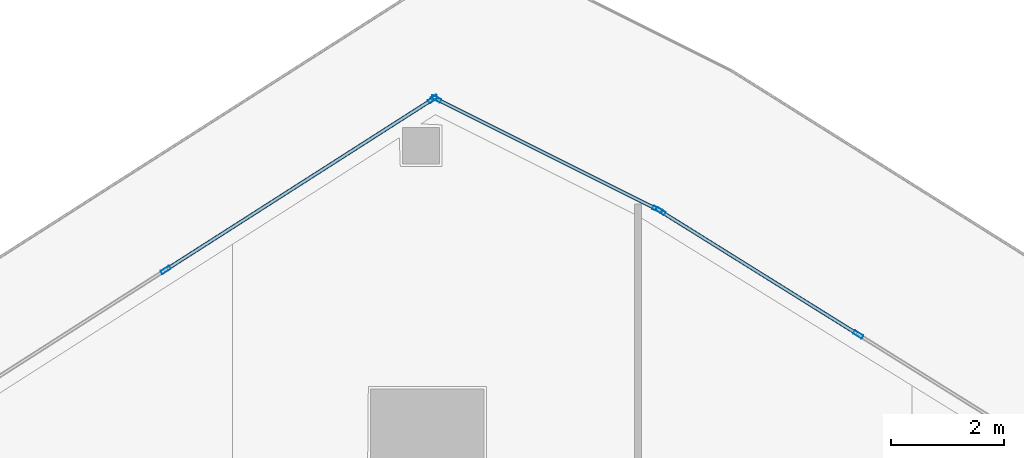
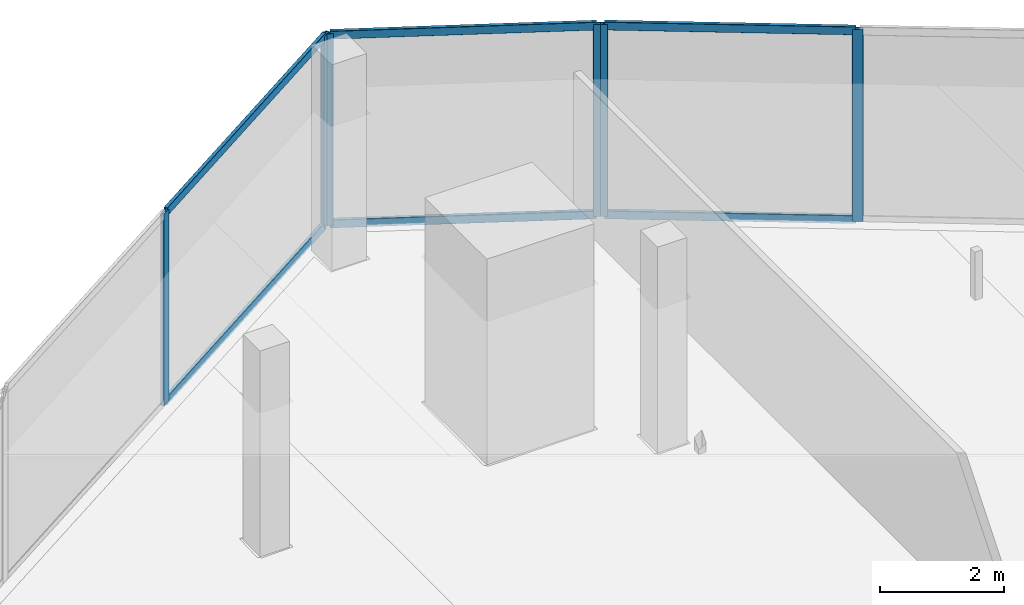
# One storey, part 22 of 36: 12 members, 3 elements without a shape of their own.
"""IFC4 building model written with IfcOpenShell, lengths in metres."""

from ifc_helpers import new_model, si_unit, direction, frame, origin, origin_2d, place, context, subcontext, project, spatial, hollow_rectangle, extrude, material, layer, layer_set, material_profile, profile_set, type_object, element, aggregate, save


model = new_model("IFC4")

# Units and contexts
model_context = context("Model", 3, precision=1e-05, world=origin(), true_north=direction((0.0, 1.0)))
body_context = subcontext(model_context, "Body", "Model", "MODEL_VIEW")
ifc_project = project(units=[si_unit("LENGTHUNIT", "METRE"), si_unit("AREAUNIT", "SQUARE_METRE"), si_unit("VOLUMEUNIT", "CUBIC_METRE"), si_unit("PLANEANGLEUNIT", "RADIAN"), si_unit("MASSUNIT", "GRAM", prefix="KILO")], contexts=[model_context])

# Site, building, storey
site_placement = place(None, origin())
site = spatial("IfcSite", under=ifc_project, at=site_placement, CompositionType="ELEMENT")
building_placement = place(site_placement, origin())
building = spatial("IfcBuilding", under=site, at=building_placement, Name="Qorvath Tower", CompositionType="ELEMENT")
storey_placement = place(building_placement, frame((0.0, 0.0, 192.89990234375)))
storey = spatial("IfcBuildingStorey", under=building, at=storey_placement, Name="L44", CompositionType="ELEMENT", Elevation=192.89990234375)

# Curtain wall, members
ifc_material_1 = material(Name="Anodised aluminium and triple low-E glass", Category="aluminium")
ifc_layer = layer(ifc_material_1, 0.179931640625)
ifc_layer_set = layer_set([ifc_layer], Name="CW-SYS-3")
curtain_wall_type = type_object("IfcCurtainWallType", Name="CW-SYS-3", PredefinedType="NOTDEFINED", material=ifc_layer_set)
curtain_wall_1_placement = place(storey_placement, origin())
curtain_wall_1 = element("IfcCurtainWall", 1, at=curtain_wall_1_placement, inside=storey, type_object=curtain_wall_type, Name="Curtain Wall CW-3 CW-T-L44-14.1", PredefinedType="NOTDEFINED")
ifc_material_2 = material(Name="Anodised aluminium 6063-T6", Category="aluminium")
ifc_material_profile_1 = material_profile(ifc_material_2, hollow_rectangle(XDim=0.06494140625, YDim=0.179931640625, WallThickness=0.00341796875, InnerFilletRadius=0.00341796875, OuterFilletRadius=0.007080078125, at=origin_2d()), Name="CWM 180x65")
ifc_profile_set_1 = profile_set([ifc_material_profile_1], Name="Anodised aluminium 6063-T6")
member_type_1 = type_object("IfcMemberType", Name="CWM-180", PredefinedType="MULLION", material=ifc_profile_set_1)
member_1_placement = place(storey_placement, frame((-9.25341796875, 23.590576171875, 0.0), z_axis=(0.0, 0.0, 1.0), x_axis=(-0.529206179006, -0.848493264618, 0.0)))
member_1 = element("IfcMember", 2, at=member_1_placement, type_object=member_type_1, Name="CW-3 mullion 2", PredefinedType="MULLION", context=body_context, shape_type="SweptSolid", body=[
    extrude(hollow_rectangle(XDim=0.06494140625, YDim=0.179931640625, WallThickness=0.00341796875, InnerFilletRadius=0.00341796875, OuterFilletRadius=0.007080078125, at=origin_2d()), origin(), (0.0, 0.0, 1.0), 3.780029296875),
])
member_2_placement = place(storey_placement, frame((-12.748046875, 25.770263671875, 0.0), z_axis=(0.0, 0.0, 1.0), x_axis=(-0.529206179006, -0.848493264618, 0.0)))
member_2 = element("IfcMember", 3, at=member_2_placement, type_object=member_type_1, Name="CW-3 mullion 3", PredefinedType="MULLION", context=body_context, shape_type="SweptSolid", body=[
    extrude(hollow_rectangle(XDim=0.06494140625, YDim=0.179931640625, WallThickness=0.00341796875, InnerFilletRadius=0.00341796875, OuterFilletRadius=0.007080078125, at=origin_2d()), origin(), (0.0, 0.0, 1.0), 3.780029296875),
])

curtain_wall_2_placement = place(storey_placement, origin())
curtain_wall_2 = element("IfcCurtainWall", 4, at=curtain_wall_2_placement, inside=storey, type_object=curtain_wall_type, Name="Curtain Wall CW-3 CW-T-L44-15.1", PredefinedType="NOTDEFINED")
member_3_placement = place(storey_placement, frame((-12.8046875, 25.802001953125, 0.0), z_axis=(0.0, 0.0, 1.0), x_axis=(-0.44720457744, -0.894431699973, 0.0)))
member_3 = element("IfcMember", 5, at=member_3_placement, type_object=member_type_1, Name="CW-3 mullion 1", PredefinedType="MULLION", context=body_context, shape_type="SweptSolid", body=[
    extrude(hollow_rectangle(XDim=0.06494140625, YDim=0.179931640625, WallThickness=0.00341796875, InnerFilletRadius=0.00341796875, OuterFilletRadius=0.007080078125, at=origin_2d()), origin(), (0.0, 0.0, 1.0), 3.780029296875),
])
member_4_placement = place(storey_placement, frame((-16.7138671875, 27.75634765625, 0.0), z_axis=(0.0, 0.0, 1.0), x_axis=(-0.44720457744, -0.894431699973, 0.0)))
member_4 = element("IfcMember", 6, at=member_4_placement, type_object=member_type_1, Name="CW-3 mullion 2", PredefinedType="MULLION", context=body_context, shape_type="SweptSolid", body=[
    extrude(hollow_rectangle(XDim=0.06494140625, YDim=0.179931640625, WallThickness=0.00341796875, InnerFilletRadius=0.00341796875, OuterFilletRadius=0.007080078125, at=origin_2d()), origin(), (0.0, 0.0, 1.0), 3.780029296875),
])

curtain_wall_3_placement = place(storey_placement, origin())
curtain_wall_3 = element("IfcCurtainWall", 7, at=curtain_wall_3_placement, inside=storey, type_object=curtain_wall_type, Name="Curtain Wall CW-3 CW-T-L44-16.1", PredefinedType="NOTDEFINED")
member_5_placement = place(storey_placement, frame((-16.770263671875, 27.75341796875, 0.0), z_axis=(0.0, 0.0, 1.0), x_axis=(0.538533623725, -0.842604020948, 0.0)))
member_5 = element("IfcMember", 8, at=member_5_placement, type_object=member_type_1, Name="CW-3 mullion 1", PredefinedType="MULLION", context=body_context, shape_type="SweptSolid", body=[
    extrude(hollow_rectangle(XDim=0.06494140625, YDim=0.179931640625, WallThickness=0.00341796875, InnerFilletRadius=0.00341796875, OuterFilletRadius=0.007080078125, at=origin_2d()), origin(), (0.0, 0.0, 1.0), 3.780029296875),
])
member_6_placement = place(storey_placement, frame((-21.495361328125, 24.733642578125, 0.0), z_axis=(0.0, 0.0, 1.0), x_axis=(0.538533623725, -0.842604020948, 0.0)))
member_6 = element("IfcMember", 9, at=member_6_placement, type_object=member_type_1, Name="CW-3 mullion 2", PredefinedType="MULLION", context=body_context, shape_type="SweptSolid", body=[
    extrude(hollow_rectangle(XDim=0.06494140625, YDim=0.179931640625, WallThickness=0.00341796875, InnerFilletRadius=0.00341796875, OuterFilletRadius=0.007080078125, at=origin_2d()), origin(), (0.0, 0.0, 1.0), 3.780029296875),
])

# Member
ifc_material_3 = material(Name="Anodised aluminium 6063-T6", Category="aluminium")
ifc_material_profile_2 = material_profile(ifc_material_3, hollow_rectangle(XDim=0.06494140625, YDim=0.159912109375, WallThickness=0.00341796875, InnerFilletRadius=0.00341796875, OuterFilletRadius=0.007080078125, at=origin_2d()), Name="CWT 160x65")
ifc_profile_set_2 = profile_set([ifc_material_profile_2], Name="Anodised aluminium 6063-T6")
member_type_2 = type_object("IfcMemberType", Name="CWT-160", PredefinedType="USERDEFINED", material=ifc_profile_set_2)
member_7_placement = place(storey_placement, frame((-9.281005859375, 23.60791015625, 0.032470703125), z_axis=(-0.848512223459, 0.529175780474, 0.0), x_axis=(-0.529175780474, -0.848512223459, 0.0)))
member_7 = element("IfcMember", 10, at=member_7_placement, type_object=member_type_2, Name="CW-3 transom 2.1", ObjectType="TRANSOM", PredefinedType="USERDEFINED", context=body_context, shape_type="SweptSolid", body=[
    extrude(hollow_rectangle(XDim=0.06494140625, YDim=0.159912109375, WallThickness=0.00341796875, InnerFilletRadius=0.00341796875, OuterFilletRadius=0.007080078125, at=origin_2d()), origin(), (0.0, 0.0, 1.0), 4.053466796875),
])

member_8_placement = place(storey_placement, frame((-9.281005859375, 23.60791015625, 3.74755859375), z_axis=(-0.848512223459, 0.529175780474, 0.0), x_axis=(-0.529175780474, -0.848512223459, 0.0)))
member_8 = element("IfcMember", 11, at=member_8_placement, type_object=member_type_2, Name="CW-3 transom 2.2", ObjectType="TRANSOM", PredefinedType="USERDEFINED", context=body_context, shape_type="SweptSolid", body=[
    extrude(hollow_rectangle(XDim=0.06494140625, YDim=0.159912109375, WallThickness=0.00341796875, InnerFilletRadius=0.00341796875, OuterFilletRadius=0.007080078125, at=origin_2d()), origin(), (0.0, 0.0, 1.0), 4.053466796875),
])

aggregate(curtain_wall_1, [member_1, member_2, member_7, member_8])

member_9_placement = place(storey_placement, frame((-12.833740234375, 25.81640625, 0.032470703125), z_axis=(-0.894427191, 0.4472135955, 0.0), x_axis=(-0.4472135955, -0.894427191, 0.0)))
member_9 = element("IfcMember", 12, at=member_9_placement, type_object=member_type_2, Name="CW-3 transom 1.1", ObjectType="TRANSOM", PredefinedType="USERDEFINED", context=body_context, shape_type="SweptSolid", body=[
    extrude(hollow_rectangle(XDim=0.06494140625, YDim=0.159912109375, WallThickness=0.00341796875, InnerFilletRadius=0.00341796875, OuterFilletRadius=0.007080078125, at=origin_2d()), origin(), (0.0, 0.0, 1.0), 4.3056640625),
])

member_10_placement = place(storey_placement, frame((-12.833740234375, 25.81640625, 3.74755859375), z_axis=(-0.894427191, 0.4472135955, 0.0), x_axis=(-0.4472135955, -0.894427191, 0.0)))
member_10 = element("IfcMember", 13, at=member_10_placement, type_object=member_type_2, Name="CW-3 transom 1.2", ObjectType="TRANSOM", PredefinedType="USERDEFINED", context=body_context, shape_type="SweptSolid", body=[
    extrude(hollow_rectangle(XDim=0.06494140625, YDim=0.159912109375, WallThickness=0.00341796875, InnerFilletRadius=0.00341796875, OuterFilletRadius=0.007080078125, at=origin_2d()), origin(), (0.0, 0.0, 1.0), 4.3056640625),
])

aggregate(curtain_wall_2, [member_3, member_4, member_9, member_10])

member_11_placement = place(storey_placement, frame((-16.797607421875, 27.736083984375, 0.032470703125), z_axis=(-0.842595217297, -0.538547397903, 0.0), x_axis=(0.538547397903, -0.842595217297, 0.0)))
member_11 = element("IfcMember", 14, at=member_11_placement, type_object=member_type_2, Name="CW-3 transom 1.1", ObjectType="TRANSOM", PredefinedType="USERDEFINED", context=body_context, shape_type="SweptSolid", body=[
    extrude(hollow_rectangle(XDim=0.06494140625, YDim=0.159912109375, WallThickness=0.00341796875, InnerFilletRadius=0.00341796875, OuterFilletRadius=0.007080078125, at=origin_2d()), origin(), (0.0, 0.0, 1.0), 5.54296875),
])

member_12_placement = place(storey_placement, frame((-16.797607421875, 27.736083984375, 3.74755859375), z_axis=(-0.842595217297, -0.538547397903, 0.0), x_axis=(0.538547397903, -0.842595217297, 0.0)))
member_12 = element("IfcMember", 15, at=member_12_placement, type_object=member_type_2, Name="CW-3 transom 1.2", ObjectType="TRANSOM", PredefinedType="USERDEFINED", context=body_context, shape_type="SweptSolid", body=[
    extrude(hollow_rectangle(XDim=0.06494140625, YDim=0.159912109375, WallThickness=0.00341796875, InnerFilletRadius=0.00341796875, OuterFilletRadius=0.007080078125, at=origin_2d()), origin(), (0.0, 0.0, 1.0), 5.54296875),
])

aggregate(curtain_wall_3, [member_5, member_6, member_11, member_12])

save(model, "model.ifc")
